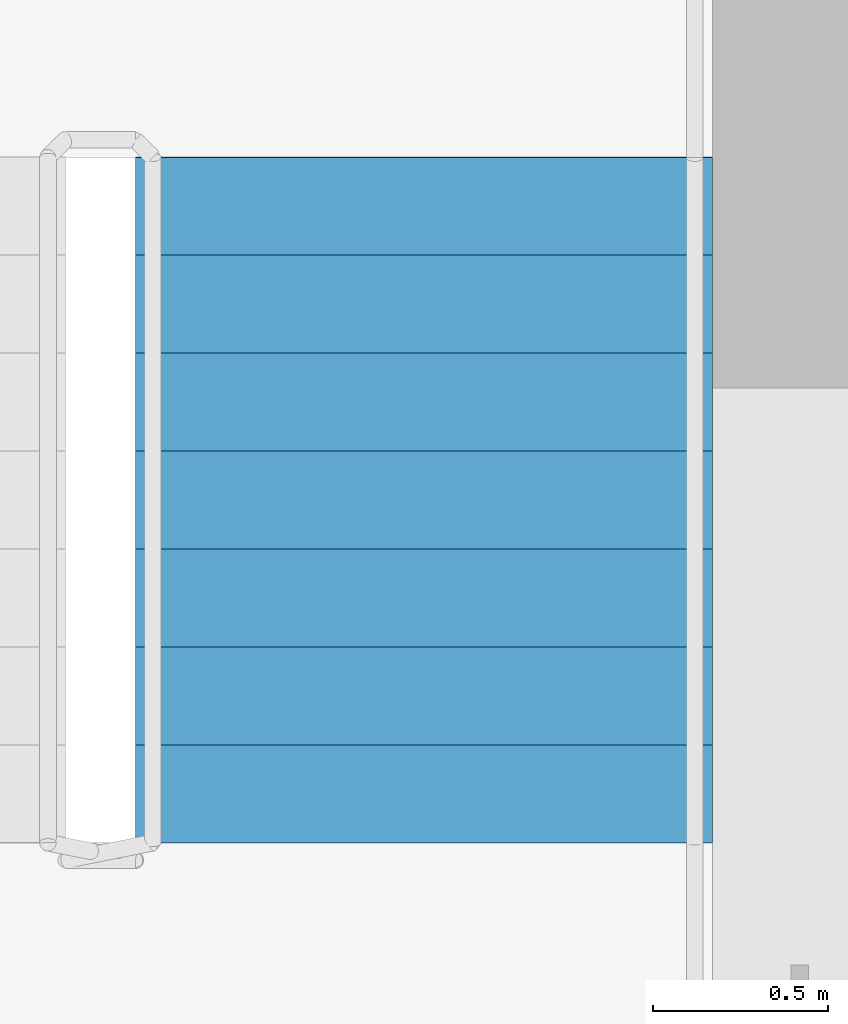
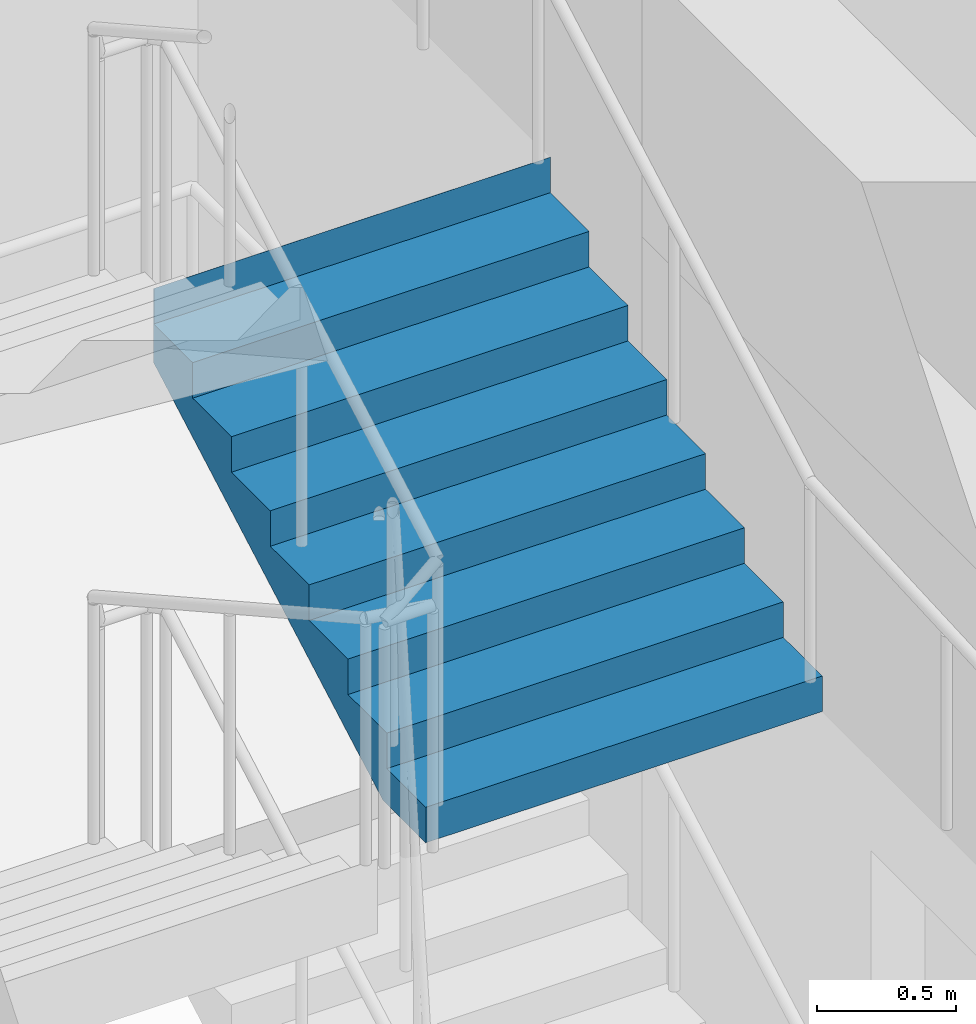
# One storey, part 16 of 19: 1 stair flight, 1 element without a shape of its own.
"""IFC4 building model written with IfcOpenShell, lengths in metres."""

from ifc_helpers import new_model, si_unit, direction, frame, origin, place, context, subcontext, project, spatial, polyline, outline, extrude, material, type_object, element, aggregate, save


model = new_model("IFC4")

# Units and contexts
model_context = context("Model", 3, precision=1e-05, world=origin(), true_north=direction((0.0, 1.0)))
body_context = subcontext(model_context, "Body", "Model", "MODEL_VIEW")
ifc_project = project(units=[si_unit("LENGTHUNIT", "METRE"), si_unit("AREAUNIT", "SQUARE_METRE"), si_unit("VOLUMEUNIT", "CUBIC_METRE"), si_unit("PLANEANGLEUNIT", "RADIAN"), si_unit("MASSUNIT", "GRAM", prefix="KILO")], contexts=[model_context])

# Site, building, storey
site_placement = place(None, origin())
site = spatial("IfcSite", under=ifc_project, at=site_placement, CompositionType="ELEMENT")
building_placement = place(site_placement, origin())
building = spatial("IfcBuilding", under=site, at=building_placement, Name="Tamorin Gate", CompositionType="ELEMENT")
storey_placement = place(building_placement, frame((0.0, 0.0, 174.199951171875)))
storey = spatial("IfcBuildingStorey", under=building, at=storey_placement, Name="L42", CompositionType="ELEMENT", Elevation=174.199951171875)

# Stair, stair flight
ifc_material = material(Name="Concrete C40/50", Category="concrete")
stair_type = type_object("IfcStairType", Name="Exit stair", PredefinedType="HALF_TURN_STAIR", material=ifc_material)
stair_placement = place(storey_placement, origin())
stair = element("IfcStair", 1, at=stair_placement, inside=storey, type_object=stair_type, Name="L42 stair ST2", PredefinedType="HALF_TURN_STAIR")
stair_flight_type = type_object("IfcStairFlightType", Name="Exit stair flight", PredefinedType="STRAIGHT", material=ifc_material)
stair_flight_placement = place(storey_placement, frame((33.675048828125, 77.0, 2.5), z_axis=(0.0, 0.0, 1.0), x_axis=(0.0, 1.0, 0.0)))
stair_flight = element("IfcStairFlight", 2, at=stair_flight_placement, type_object=stair_flight_type, Name="ST2 flight 3", NumberOfRisers=8, NumberOfTreads=7, PredefinedType="STRAIGHT", RiserHeight=0.15625, TreadLength=0.28, context=body_context, shape_type="SweptSolid", body=[
    extrude(outline(polyline([(-0.00048828125, 0.0), (-0.00048828125, 0.00146484375), (-0.00048828125, 0.003173828125), (-0.00048828125, 0.004638671875), (-0.00048828125, 0.006103515625), (-0.00048828125, 0.0078125), (-0.00048828125, 0.00927734375), (-0.00048828125, 0.0107421875), (-0.00048828125, 0.012451171875), (-0.00048828125, 0.013916015625), (-0.00048828125, 0.015380859375), (-0.00048828125, 0.01708984375), (-0.00048828125, 0.0185546875), (-0.00048828125, 0.02001953125), (-0.00048828125, 0.021728515625), (-0.00048828125, 0.023193359375), (-0.00048828125, 0.024658203125), (-0.00048828125, 0.0263671875), (-0.00048828125, 0.02783203125), (-0.00048828125, 0.029296875), (-0.00048828125, 0.031005859375), (-0.00048828125, 0.032470703125), (-0.00048828125, 0.033935546875), (-0.00048828125, 0.03564453125), (-0.00048828125, 0.037109375), (-0.00048828125, 0.03857421875), (-0.00048828125, 0.040283203125), (-0.00048828125, 0.041748046875), (-0.00048828125, 0.043212890625), (-0.00048828125, 0.044921875), (-0.00048828125, 0.04638671875), (-0.00048828125, 0.0478515625), (-0.00048828125, 0.049560546875), (-0.00048828125, 0.051025390625), (-0.00048828125, 0.052490234375), (-0.00048828125, 0.05419921875), (-0.00048828125, 0.0556640625), (-0.00048828125, 0.05712890625), (-0.00048828125, 0.058837890625), (-0.00048828125, 0.060302734375), (-0.00048828125, 0.061767578125), (-0.00048828125, 0.0634765625), (-0.00048828125, 0.06494140625), (-0.00048828125, 0.06640625), (-0.00048828125, 0.068115234375), (-0.00048828125, 0.069580078125), (-0.00048828125, 0.071044921875), (-0.00048828125, 0.07275390625), (-0.00048828125, 0.07421875), (-0.00048828125, 0.07568359375), (-0.00048828125, 0.077392578125), (-0.00048828125, 0.078857421875), (-0.00048828125, 0.08056640625), (-0.00048828125, 0.08203125), (-0.00048828125, 0.08349609375), (-0.00048828125, 0.085205078125), (-0.00048828125, 0.086669921875), (-0.00048828125, 0.088134765625), (-0.00048828125, 0.08984375), (-0.00048828125, 0.09130859375), (-0.00048828125, 0.0927734375), (-0.00048828125, 0.094482421875), (-0.00048828125, 0.095947265625), (-0.00048828125, 0.097412109375), (-0.00048828125, 0.09912109375), (-0.00048828125, 0.1005859375), (-0.00048828125, 0.10205078125), (-0.00048828125, 0.103759765625), (-0.00048828125, 0.105224609375), (-0.00048828125, 0.106689453125), (-0.00048828125, 0.1083984375), (-0.00048828125, 0.10986328125), (-0.00048828125, 0.111328125), (-0.00048828125, 0.113037109375), (-0.00048828125, 0.114501953125), (-0.00048828125, 0.115966796875), (-0.00048828125, 0.11767578125), (-0.00048828125, 0.119140625), (-0.00048828125, 0.12060546875), (-0.00048828125, 0.122314453125), (-0.00048828125, 0.123779296875), (-0.00048828125, 0.125244140625), (-0.00048828125, 0.126953125), (-0.00048828125, 0.12841796875), (-0.00048828125, 0.1298828125), (-0.00048828125, 0.131591796875), (-0.00048828125, 0.133056640625), (-0.00048828125, 0.134521484375), (-0.00048828125, 0.13623046875), (-0.00048828125, 0.1376953125), (-0.00048828125, 0.13916015625), (-0.00048828125, 0.140869140625), (-0.00048828125, 0.142333984375), (-0.00048828125, 0.143798828125), (-0.00048828125, 0.1455078125), (-0.00048828125, 0.14697265625), (-0.00048828125, 0.1484375), (-0.00048828125, 0.150146484375), (-0.00048828125, 0.151611328125), (-0.00048828125, 0.153076171875), (-0.00048828125, 0.15478515625), (-0.00048828125, 0.15625), (0.280029296875, 0.15625), (0.280029296875, 0.3125), (0.56005859375, 0.3125), (0.56005859375, 0.46875), (0.840087890625, 0.46875), (0.840087890625, 0.625), (1.1201171875, 0.625), (1.1201171875, 0.78125), (1.39990234375, 0.78125), (1.39990234375, 0.9375), (1.679931640625, 0.9375), (1.679931640625, 1.09375), (1.9599609375, 1.09375), (1.9599609375, 1.25), (1.96044921875, 1.25), (1.96044921875, 1.246826171875), (1.96044921875, 1.243408203125), (1.96044921875, 1.240234375), (1.96044921875, 1.237060546875), (1.96044921875, 1.23388671875), (1.96044921875, 1.23046875), (1.96044921875, 1.227294921875), (1.96044921875, 1.22412109375), (1.96044921875, 1.220703125), (1.96044921875, 1.217529296875), (1.96044921875, 1.21435546875), (1.96044921875, 1.2109375), (1.96044921875, 1.207763671875), (1.96044921875, 1.20458984375), (1.96044921875, 1.201416015625), (1.96044921875, 1.197998046875), (1.96044921875, 1.19482421875), (1.96044921875, 1.191650390625), (1.96044921875, 1.188232421875), (1.96044921875, 1.18505859375), (1.96044921875, 1.181884765625), (1.96044921875, 1.178466796875), (1.96044921875, 1.17529296875), (1.96044921875, 1.172119140625), (1.96044921875, 1.1689453125), (1.96044921875, 1.16552734375), (1.96044921875, 1.162353515625), (1.96044921875, 1.1591796875), (1.96044921875, 1.15576171875), (1.96044921875, 1.152587890625), (1.96044921875, 1.1494140625), (1.96044921875, 1.14599609375), (1.96044921875, 1.142822265625), (1.96044921875, 1.1396484375), (1.96044921875, 1.136474609375), (1.96044921875, 1.133056640625), (1.96044921875, 1.1298828125), (1.96044921875, 1.126708984375), (1.96044921875, 1.123291015625), (1.96044921875, 1.1201171875), (1.96044921875, 1.116943359375), (1.96044921875, 1.113525390625), (1.96044921875, 1.1103515625), (1.96044921875, 1.107177734375), (1.96044921875, 1.10400390625), (1.96044921875, 1.1005859375), (1.96044921875, 1.097412109375), (1.96044921875, 1.09423828125), (1.96044921875, 1.0908203125), (1.96044921875, 1.087646484375), (1.96044921875, 1.08447265625), (1.96044921875, 1.0810546875), (1.96044921875, 1.077880859375), (1.96044921875, 1.07470703125), (1.96044921875, 1.071533203125), (1.96044921875, 1.068115234375), (1.96044921875, 1.06494140625), (1.96044921875, 1.061767578125), (1.96044921875, 1.058349609375), (1.96044921875, 1.05517578125), (1.96044921875, 1.052001953125), (1.96044921875, 1.048828125), (1.96044921875, 1.04541015625), (1.96044921875, 1.042236328125), (1.96044921875, 1.0390625), (1.96044921875, 1.03564453125), (1.96044921875, 1.032470703125), (1.96044921875, 1.029296875), (1.96044921875, 1.02587890625), (1.96044921875, 1.022705078125), (1.96044921875, 1.01953125), (1.96044921875, 1.016357421875), (1.96044921875, 1.012939453125), (1.96044921875, 1.009765625), (1.96044921875, 1.006591796875), (1.96044921875, 1.003173828125), (1.96044921875, 1.0), (1.96044921875, 0.996826171875), (1.96044921875, 0.993408203125), (1.96044921875, 0.990234375), (1.96044921875, 0.987060546875), (1.96044921875, 0.98388671875), (1.96044921875, 0.98046875), (1.96044921875, 0.977294921875), (1.96044921875, 0.97412109375), (1.96044921875, 0.970703125), (1.96044921875, 0.967529296875), (1.96044921875, 0.96435546875), (1.96044921875, 0.9609375), (1.96044921875, 0.957763671875), (1.96044921875, 0.95458984375), (1.96044921875, 0.951416015625), (1.96044921875, 0.947998046875), (1.96044921875, 0.94482421875), (1.96044921875, 0.941650390625), (1.96044921875, 0.938232421875), (1.96044921875, 0.93505859375), (1.96044921875, 0.931884765625), (1.96044921875, 0.928466796875), (1.96044921875, 0.92529296875), (1.96044921875, 0.922119140625), (1.9599609375, 0.922119140625), (0.3076171875, 0.0), (-0.00048828125, 0.0)])), frame((0.0, 0.824951171875, 0.0), z_axis=(0.0, -1.0, 0.0), x_axis=(1.0, 0.0, 0.0)), (0.0, 0.0, 1.0), 1.64990234375),
])
aggregate(stair, [stair_flight])

save(model, "model.ifc")
